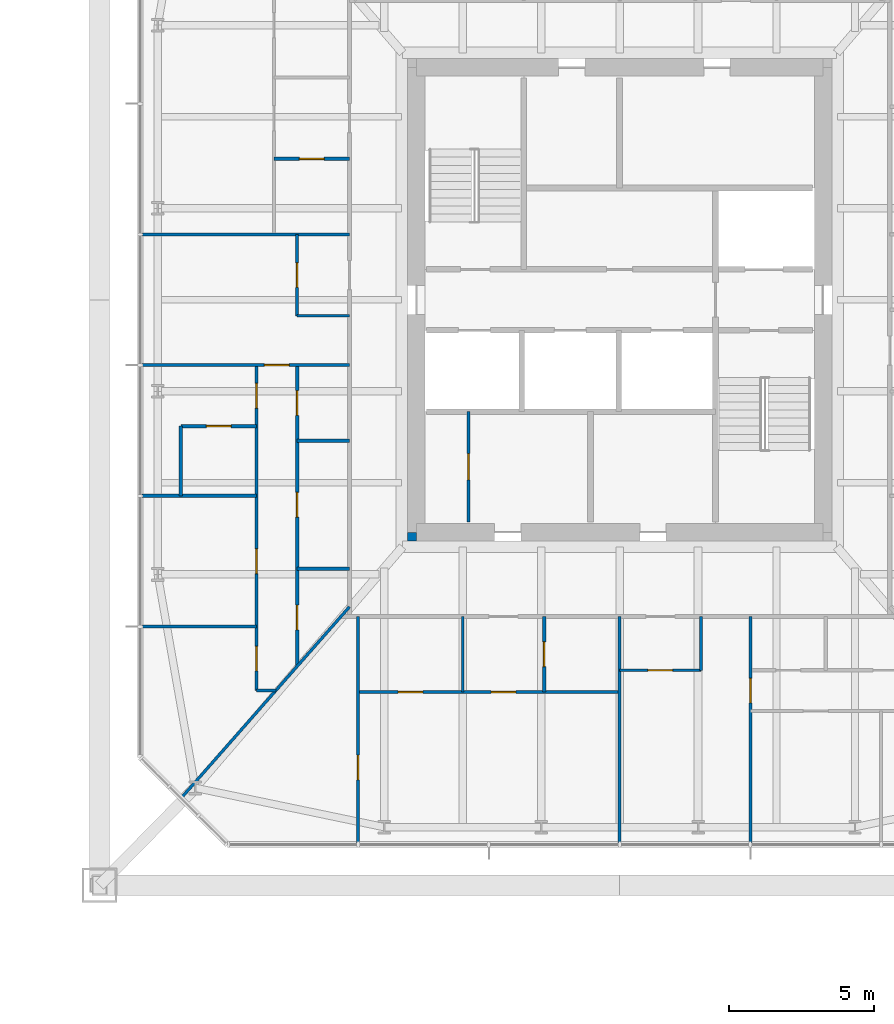
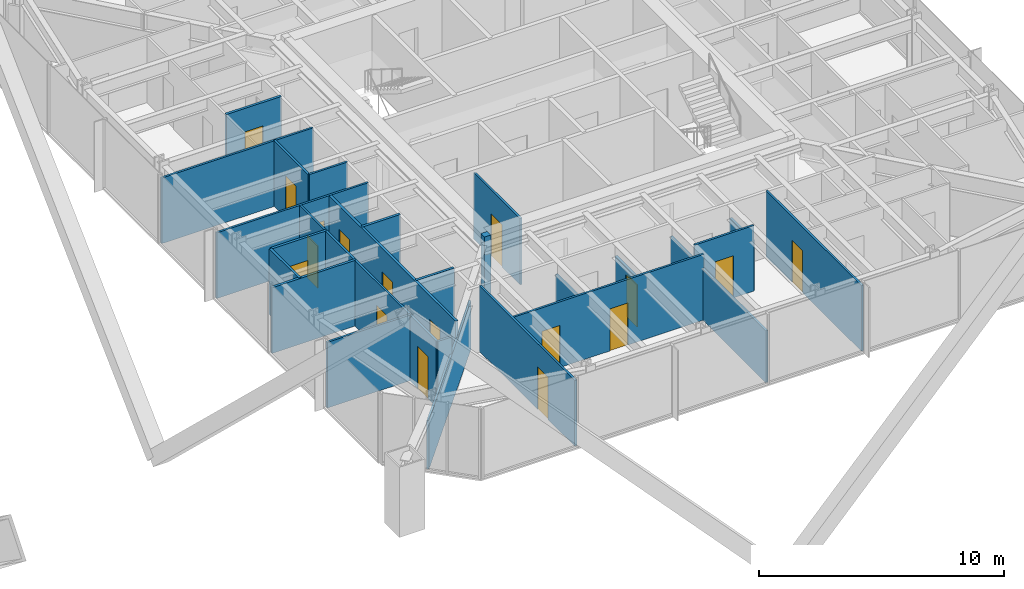
# One storey, part 20 of 28: 25 walls, 17 doors, 17 openings.
"""IFC4 building model written with IfcOpenShell, lengths in metres."""

from ifc_helpers import new_model, si_unit, direction, frame, frame_2d, origin, place, context, subcontext, project, spatial, rectangle, extrude, material, layer, layer_set, type_object, element, fill, save


model = new_model("IFC4")

# Units and contexts
model_context = context("Model", 3, precision=1e-05, world=origin(), true_north=direction((0.0, 1.0)))
body_context = subcontext(model_context, "Body", "Model", "MODEL_VIEW")
ifc_project = project(units=[si_unit("LENGTHUNIT", "METRE"), si_unit("AREAUNIT", "SQUARE_METRE"), si_unit("VOLUMEUNIT", "CUBIC_METRE"), si_unit("PLANEANGLEUNIT", "RADIAN"), si_unit("MASSUNIT", "GRAM", prefix="KILO")], contexts=[model_context])

# Site, building, storey
site_placement = place(None, origin())
site = spatial("IfcSite", under=ifc_project, at=site_placement, CompositionType="ELEMENT")
building_placement = place(site_placement, origin())
building = spatial("IfcBuilding", under=site, at=building_placement, Name="Iwan Alto Co-Living Towers", CompositionType="ELEMENT")
storey_placement = place(building_placement, frame((0.0, 0.0, 64.0)))
storey = spatial("IfcBuildingStorey", under=building, at=storey_placement, Name="L17", CompositionType="ELEMENT", Elevation=64.0)

# Wall, openings, doors
ifc_material_1 = material(Name="Gypsum board")
ifc_layer_1 = layer(ifc_material_1, 0.012451171875, Name="Board", Category="Finish")
ifc_material_2 = material(Name="Steel ASTM A1003 ST33H cold-formed studs", Category="steel")
ifc_layer_2 = layer(ifc_material_2, 0.074951171875, Name="Studs", Category="Framing")
ifc_layer_3 = layer(ifc_material_1, 0.012451171875, Name="Board", Category="Finish")
ifc_layer_set_1 = layer_set([ifc_layer_1, ifc_layer_2, ifc_layer_3], Name="PARTITION 100")
wall_type_1 = type_object("IfcWallType", Name="PARTITION 100", PredefinedType="PARTITIONING", material=ifc_layer_set_1)
wall_1_placement = place(storey_placement, frame((54.0, -13.5, 0.0), z_axis=(0.0, 0.0, 1.0), x_axis=(1.0, 0.0, 0.0)))
wall_1 = element("IfcWall", 1, at=wall_1_placement, inside=storey, type_object=wall_type_1, Name="Partition L17", PredefinedType="PARTITIONING", context=body_context, shape_type="SweptSolid", body=[
    extrude(rectangle(XDim=9.0, YDim=0.10009765625, at=frame_2d((4.5, 0.0))), origin(), (0.0, 0.0, 1.0), 3.27001953125),
])
opening_1_placement = place(wall_1_placement, frame((1.375, 0.0, 0.0)))
opening_1 = element("IfcOpeningElement", 2, at=opening_1_placement, cuts=wall_1, Name="Opening D2", PredefinedType="OPENING", context=body_context, shape_type="SweptSolid", body=[
    extrude(rectangle(XDim=0.85009765625, YDim=2.10009765625, at=frame_2d((0.425048828125, 1.050048828125))), frame((0.0, 0.06005859375, 0.0), z_axis=(0.0, -1.0, 0.0), x_axis=(1.0, 0.0, 0.0)), (0.0, 0.0, 1.0), 0.1201171875),
])
opening_2_placement = place(wall_1_placement, frame((4.574951171875, 0.0, 0.0)))
opening_2 = element("IfcOpeningElement", 3, at=opening_2_placement, cuts=wall_1, Name="Opening D2", PredefinedType="OPENING", context=body_context, shape_type="SweptSolid", body=[
    extrude(rectangle(XDim=0.85009765625, YDim=2.10009765625, at=frame_2d((0.425048828125, 1.050048828125))), frame((0.0, 0.06005859375, 0.0), z_axis=(0.0, -1.0, 0.0), x_axis=(1.0, 0.0, 0.0)), (0.0, 0.0, 1.0), 0.1201171875),
])
ifc_material_3 = material(Name="Timber leaf in steel frame", Category="steel")
door_type_1 = type_object("IfcDoorType", Name="ROOM DOOR 850X2100", OperationType="SINGLE_SWING_LEFT", PredefinedType="DOOR", material=ifc_material_3)
door_1_placement = place(opening_1_placement, frame((0.85009765625, 0.0, 0.0), z_axis=(0.0, 0.0, 1.0), x_axis=(-1.0, 0.0, 0.0)))
door_1 = element("IfcDoor", 4, at=door_1_placement, inside=storey, type_object=door_type_1, Name="Kitchen door L17", OperationType="SINGLE_SWING_RIGHT", OverallHeight=2.10009765625, OverallWidth=0.85009765625, PredefinedType="DOOR", context=body_context, shape_type="SweptSolid", body=[
    extrude(rectangle(XDim=0.85009765625, YDim=2.10009765625, at=frame_2d((0.425048828125, 1.050048828125))), frame((0.0, 0.02490234375, 0.0), z_axis=(0.0, -1.0, 0.0), x_axis=(1.0, 0.0, 0.0)), (0.0, 0.0, 1.0), 0.050048828125),
])
fill(opening_1, door_1)
door_2_placement = place(opening_2_placement, frame((0.85009765625, 0.0, 0.0), z_axis=(0.0, 0.0, 1.0), x_axis=(-1.0, 0.0, 0.0)))
door_2 = element("IfcDoor", 5, at=door_2_placement, inside=storey, type_object=door_type_1, Name="Apartment foyer door L17", OperationType="SINGLE_SWING_LEFT", OverallHeight=2.10009765625, OverallWidth=0.85009765625, PredefinedType="DOOR", context=body_context, shape_type="SweptSolid", body=[
    extrude(rectangle(XDim=0.85009765625, YDim=2.10009765625, at=frame_2d((0.425048828125, 1.050048828125))), frame((0.0, 0.02490234375, 0.0), z_axis=(0.0, -1.0, 0.0), x_axis=(1.0, 0.0, 0.0)), (0.0, 0.0, 1.0), 0.050048828125),
])
fill(opening_2, door_2)

# Wall
wall_2_placement = place(storey_placement, frame((50.5, -13.449951171875, 0.0), z_axis=(0.0, 0.0, 1.0), x_axis=(1.0, 0.0, 0.0)))
element("IfcWall", 6, at=wall_2_placement, inside=storey, type_object=wall_type_1, Name="Partition L17", PredefinedType="PARTITIONING", context=body_context, shape_type="SweptSolid", body=[
    extrude(rectangle(XDim=0.6640625, YDim=0.10009765625, at=frame_2d((0.33203125, 0.0))), origin(), (0.0, 0.0, 1.0), 3.27001953125),
])

# Wall, opening, door
wall_3_placement = place(storey_placement, frame((63.0, -12.75, 0.0), z_axis=(0.0, 0.0, 1.0), x_axis=(1.0, 0.0, 0.0)))
wall_3 = element("IfcWall", 7, at=wall_3_placement, inside=storey, type_object=wall_type_1, Name="Partition L17", PredefinedType="PARTITIONING", context=body_context, shape_type="SweptSolid", body=[
    extrude(rectangle(XDim=2.800048828125, YDim=0.10009765625, at=frame_2d((1.39990234375, 0.0))), origin(), (0.0, 0.0, 1.0), 3.27001953125),
])
opening_3_placement = place(wall_3_placement, frame((0.97509765625, 0.0, 0.0)))
opening_3 = element("IfcOpeningElement", 8, at=opening_3_placement, cuts=wall_3, Name="Opening D2", PredefinedType="OPENING", context=body_context, shape_type="SweptSolid", body=[
    extrude(rectangle(XDim=0.85009765625, YDim=2.10009765625, at=frame_2d((0.425048828125, 1.050048828125))), frame((0.0, 0.06005859375, 0.0), z_axis=(0.0, -1.0, 0.0), x_axis=(1.0, 0.0, 0.0)), (0.0, 0.0, 1.0), 0.1201171875),
])
door_3_placement = place(opening_3_placement, frame((0.85009765625, 0.0, 0.0), z_axis=(0.0, 0.0, 1.0), x_axis=(-1.0, 0.0, 0.0)))
door_3 = element("IfcDoor", 9, at=door_3_placement, inside=storey, type_object=door_type_1, Name="Apartment foyer door L17", OperationType="SINGLE_SWING_RIGHT", OverallHeight=2.10009765625, OverallWidth=0.85009765625, PredefinedType="DOOR", context=body_context, shape_type="SweptSolid", body=[
    extrude(rectangle(XDim=0.85009765625, YDim=2.10009765625, at=frame_2d((0.425048828125, 1.050048828125))), frame((0.0, 0.02490234375, 0.0), z_axis=(0.0, -1.0, 0.0), x_axis=(1.0, 0.0, 0.0)), (0.0, 0.0, 1.0), 0.050048828125),
])
fill(opening_3, door_3)

# Wall
wall_4_placement = place(storey_placement, frame((46.56005859375, -11.25, 0.0), z_axis=(0.0, 0.0, 1.0), x_axis=(1.0, 0.0, 0.0)))
element("IfcWall", 10, at=wall_4_placement, inside=storey, type_object=wall_type_1, Name="Partition L17", PredefinedType="PARTITIONING", context=body_context, shape_type="SweptSolid", body=[
    extrude(rectangle(XDim=3.93994140625, YDim=0.10009765625, at=frame_2d((1.969970703125, 0.0))), origin(), (0.0, 0.0, 1.0), 3.27001953125),
])

# Wall, opening, door
wall_5_placement = place(storey_placement, frame((46.56005859375, -2.25, 0.0), z_axis=(0.0, 0.0, 1.0), x_axis=(1.0, 0.0, 0.0)))
wall_5 = element("IfcWall", 11, at=wall_5_placement, inside=storey, type_object=wall_type_1, Name="Partition L17", PredefinedType="PARTITIONING", context=body_context, shape_type="SweptSolid", body=[
    extrude(rectangle(XDim=7.139892578125, YDim=0.10009765625, at=frame_2d((3.56982421875, 0.0))), origin(), (0.0, 0.0, 1.0), 3.27001953125),
])
opening_4_placement = place(wall_5_placement, frame((4.215087890625, 0.0, 0.0)))
opening_4 = element("IfcOpeningElement", 12, at=opening_4_placement, cuts=wall_5, Name="Opening D2", PredefinedType="OPENING", context=body_context, shape_type="SweptSolid", body=[
    extrude(rectangle(XDim=0.85009765625, YDim=2.10009765625, at=frame_2d((0.425048828125, 1.050048828125))), frame((0.0, 0.06005859375, 0.0), z_axis=(0.0, -1.0, 0.0), x_axis=(1.0, 0.0, 0.0)), (0.0, 0.0, 1.0), 0.1201171875),
])
door_4_placement = place(opening_4_placement, origin())
door_4 = element("IfcDoor", 13, at=door_4_placement, inside=storey, type_object=door_type_1, Name="Apartment hall door L17", OperationType="SINGLE_SWING_RIGHT", OverallHeight=2.10009765625, OverallWidth=0.85009765625, PredefinedType="DOOR", context=body_context, shape_type="SweptSolid", body=[
    extrude(rectangle(XDim=0.85009765625, YDim=2.10009765625, at=frame_2d((0.425048828125, 1.050048828125))), frame((0.0, 0.02490234375, 0.0), z_axis=(0.0, -1.0, 0.0), x_axis=(1.0, 0.0, 0.0)), (0.0, 0.0, 1.0), 0.050048828125),
])
fill(opening_4, door_4)

# Walls
wall_6_placement = place(storey_placement, frame((51.89990234375, -0.550048828125, 0.0), z_axis=(0.0, 0.0, 1.0), x_axis=(1.0, 0.0, 0.0)))
element("IfcWall", 14, at=wall_6_placement, inside=storey, type_object=wall_type_1, Name="Partition L17", PredefinedType="PARTITIONING", context=body_context, shape_type="SweptSolid", body=[
    extrude(rectangle(XDim=1.800048828125, YDim=0.10009765625, at=frame_2d((0.89990234375, 0.0))), origin(), (0.0, 0.0, 1.0), 3.27001953125),
])
wall_7_placement = place(storey_placement, frame((46.56005859375, 2.25, 0.0), z_axis=(0.0, 0.0, 1.0), x_axis=(1.0, 0.0, 0.0)))
element("IfcWall", 15, at=wall_7_placement, inside=storey, type_object=wall_type_1, Name="Partition L17", PredefinedType="PARTITIONING", context=body_context, shape_type="SweptSolid", body=[
    extrude(rectangle(XDim=7.139892578125, YDim=0.10009765625, at=frame_2d((3.56982421875, 0.0))), origin(), (0.0, 0.0, 1.0), 3.27001953125),
])
wall_8_placement = place(storey_placement, frame((47.944091796875, -17.10888671875, 0.0), z_axis=(0.0, 0.0, 1.0), x_axis=(0.660612734851, 0.750726857487, 0.0)))
element("IfcWall", 16, at=wall_8_placement, inside=storey, type_object=wall_type_1, Name="Partition L17", PredefinedType="PARTITIONING", context=body_context, shape_type="SweptSolid", body=[
    extrude(rectangle(XDim=8.712890625, YDim=0.10009765625, at=frame_2d((4.3564453125, 0.0))), origin(), (0.0, 0.0, 1.0), 2.42919921875),
])

# Wall, opening, door
wall_9_placement = place(storey_placement, frame((67.5, -18.68994140625, 0.0), z_axis=(0.0, 0.0, 1.0), x_axis=(0.0, 1.0, 0.0)))
wall_9 = element("IfcWall", 17, at=wall_9_placement, inside=storey, type_object=wall_type_1, Name="Partition L17", PredefinedType="PARTITIONING", context=body_context, shape_type="SweptSolid", body=[
    extrude(rectangle(XDim=7.7900390625, YDim=0.10009765625, at=frame_2d((3.89501953125, 0.0))), origin(), (0.0, 0.0, 1.0), 3.27001953125),
])
opening_5_placement = place(wall_9_placement, frame((4.81494140625, 0.0, 0.0)))
opening_5 = element("IfcOpeningElement", 18, at=opening_5_placement, cuts=wall_9, Name="Opening D2", PredefinedType="OPENING", context=body_context, shape_type="SweptSolid", body=[
    extrude(rectangle(XDim=0.85009765625, YDim=2.10009765625, at=frame_2d((0.425048828125, 1.050048828125))), frame((0.0, 0.06005859375, 0.0), z_axis=(0.0, -1.0, 0.0), x_axis=(1.0, 0.0, 0.0)), (0.0, 0.0, 1.0), 0.1201171875),
])
door_5_placement = place(opening_5_placement, origin())
door_5 = element("IfcDoor", 19, at=door_5_placement, inside=storey, type_object=door_type_1, Name="Apartment hall door L17", OperationType="SINGLE_SWING_RIGHT", OverallHeight=2.10009765625, OverallWidth=0.85009765625, PredefinedType="DOOR", context=body_context, shape_type="SweptSolid", body=[
    extrude(rectangle(XDim=0.85009765625, YDim=2.10009765625, at=frame_2d((0.425048828125, 1.050048828125))), frame((0.0, 0.02490234375, 0.0), z_axis=(0.0, -1.0, 0.0), x_axis=(1.0, 0.0, 0.0)), (0.0, 0.0, 1.0), 0.050048828125),
])
fill(opening_5, door_5)

# Walls
wall_10_placement = place(storey_placement, frame((65.800048828125, -12.75, 0.0), z_axis=(0.0, 0.0, 1.0), x_axis=(0.0, 1.0, 0.0)))
element("IfcWall", 20, at=wall_10_placement, inside=storey, type_object=wall_type_1, Name="Partition L17", PredefinedType="PARTITIONING", context=body_context, shape_type="SweptSolid", body=[
    extrude(rectangle(XDim=1.85009765625, YDim=0.10009765625, at=frame_2d((0.925048828125, 0.0))), origin(), (0.0, 0.0, 1.0), 2.508056640625),
])
wall_11_placement = place(storey_placement, frame((63.0, -18.68994140625, 0.0), z_axis=(0.0, 0.0, 1.0), x_axis=(0.0, 1.0, 0.0)))
element("IfcWall", 21, at=wall_11_placement, inside=storey, type_object=wall_type_1, Name="Partition L17", PredefinedType="PARTITIONING", context=body_context, shape_type="SweptSolid", body=[
    extrude(rectangle(XDim=7.7900390625, YDim=0.10009765625, at=frame_2d((3.89501953125, 0.0))), origin(), (0.0, 0.0, 1.0), 2.586669921875),
])

# Wall, opening, door
wall_12_placement = place(storey_placement, frame((57.800048828125, -7.639892578125, 0.0), z_axis=(0.0, 0.0, 1.0), x_axis=(0.0, 1.0, 0.0)))
wall_12 = element("IfcWall", 22, at=wall_12_placement, inside=storey, type_object=wall_type_1, Name="Partition L17", PredefinedType="PARTITIONING", context=body_context, shape_type="SweptSolid", body=[
    extrude(rectangle(XDim=3.789794921875, YDim=0.10009765625, at=frame_2d((1.89501953125, 0.0))), origin(), (0.0, 0.0, 1.0), 3.300048828125),
])
opening_6_placement = place(wall_12_placement, frame((1.445068359375, 0.0, 0.0)))
opening_6 = element("IfcOpeningElement", 23, at=opening_6_placement, cuts=wall_12, Name="Opening D16", PredefinedType="OPENING", context=body_context, shape_type="SweptSolid", body=[
    extrude(rectangle(XDim=0.89990234375, YDim=2.10009765625, at=frame_2d((0.449951171875, 1.050048828125))), frame((0.0, 0.06005859375, 0.0), z_axis=(0.0, -1.0, 0.0), x_axis=(1.0, 0.0, 0.0)), (0.0, 0.0, 1.0), 0.1201171875),
])
ifc_material_4 = material(Name="Timber leaf in steel frame", Category="steel")
door_type_2 = type_object("IfcDoorType", Name="CUPBOARD SLIDING DOOR 900X2100", OperationType="SLIDING_TO_LEFT", PredefinedType="DOOR", material=ifc_material_4)
door_6_placement = place(opening_6_placement, origin())
door_6 = element("IfcDoor", 24, at=door_6_placement, inside=storey, type_object=door_type_2, Name="Bin store door L17", OperationType="SLIDING_TO_LEFT", OverallHeight=2.10009765625, OverallWidth=0.89990234375, PredefinedType="DOOR", context=body_context, shape_type="SweptSolid", body=[
    extrude(rectangle(XDim=0.89990234375, YDim=2.10009765625, at=frame_2d((0.449951171875, 1.050048828125))), frame((0.0, 0.02490234375, 0.0), z_axis=(0.0, -1.0, 0.0), x_axis=(1.0, 0.0, 0.0)), (0.0, 0.0, 1.0), 0.050048828125),
])
fill(opening_6, door_6)

# Wall
wall_13_placement = place(storey_placement, frame((57.60009765625, -13.5, 0.0), z_axis=(0.0, 0.0, 1.0), x_axis=(0.0, 1.0, 0.0)))
element("IfcWall", 25, at=wall_13_placement, inside=storey, type_object=wall_type_1, Name="Partition L17", PredefinedType="PARTITIONING", context=body_context, shape_type="SweptSolid", body=[
    extrude(rectangle(XDim=2.60009765625, YDim=0.10009765625, at=frame_2d((1.300048828125, 0.0))), origin(), (0.0, 0.0, 1.0), 2.586669921875),
])

# Wall, opening, door
wall_14_placement = place(storey_placement, frame((54.0, -18.68994140625, 0.0), z_axis=(0.0, 0.0, 1.0), x_axis=(0.0, 1.0, 0.0)))
wall_14 = element("IfcWall", 26, at=wall_14_placement, inside=storey, type_object=wall_type_1, Name="Partition L17", PredefinedType="PARTITIONING", context=body_context, shape_type="SweptSolid", body=[
    extrude(rectangle(XDim=7.7900390625, YDim=0.10009765625, at=frame_2d((3.89501953125, 0.0))), origin(), (0.0, 0.0, 1.0), 3.27001953125),
])
opening_7_placement = place(wall_14_placement, frame((2.169921875, 0.0, 0.0)))
opening_7 = element("IfcOpeningElement", 27, at=opening_7_placement, cuts=wall_14, Name="Opening D2", PredefinedType="OPENING", context=body_context, shape_type="SweptSolid", body=[
    extrude(rectangle(XDim=0.85009765625, YDim=2.10009765625, at=frame_2d((0.425048828125, 1.050048828125))), frame((0.0, 0.06005859375, 0.0), z_axis=(0.0, -1.0, 0.0), x_axis=(1.0, 0.0, 0.0)), (0.0, 0.0, 1.0), 0.1201171875),
])
door_7_placement = place(opening_7_placement, frame((0.85009765625, 0.0, 0.0), z_axis=(0.0, 0.0, 1.0), x_axis=(-1.0, 0.0, 0.0)))
door_7 = element("IfcDoor", 28, at=door_7_placement, inside=storey, type_object=door_type_1, Name="Bedroom door L17", OperationType="SINGLE_SWING_LEFT", OverallHeight=2.10009765625, OverallWidth=0.85009765625, PredefinedType="DOOR", context=body_context, shape_type="SweptSolid", body=[
    extrude(rectangle(XDim=0.85009765625, YDim=2.10009765625, at=frame_2d((0.425048828125, 1.050048828125))), frame((0.0, 0.02490234375, 0.0), z_axis=(0.0, -1.0, 0.0), x_axis=(1.0, 0.0, 0.0)), (0.0, 0.0, 1.0), 0.050048828125),
])
fill(opening_7, door_7)

wall_15_placement = place(storey_placement, frame((51.89990234375, -0.550048828125, 0.0), z_axis=(0.0, 0.0, 1.0), x_axis=(0.0, 1.0, 0.0)))
wall_15 = element("IfcWall", 29, at=wall_15_placement, inside=storey, type_object=wall_type_1, Name="Partition L17", PredefinedType="PARTITIONING", context=body_context, shape_type="SweptSolid", body=[
    extrude(rectangle(XDim=2.800048828125, YDim=0.10009765625, at=frame_2d((1.39990234375, 0.0))), origin(), (0.0, 0.0, 1.0), 3.27001953125),
])
opening_8_placement = place(wall_15_placement, frame((0.97509765625, 0.0, 0.0)))
opening_8 = element("IfcOpeningElement", 30, at=opening_8_placement, cuts=wall_15, Name="Opening D2", PredefinedType="OPENING", context=body_context, shape_type="SweptSolid", body=[
    extrude(rectangle(XDim=0.85009765625, YDim=2.10009765625, at=frame_2d((0.425048828125, 1.050048828125))), frame((0.0, 0.06005859375, 0.0), z_axis=(0.0, -1.0, 0.0), x_axis=(1.0, 0.0, 0.0)), (0.0, 0.0, 1.0), 0.1201171875),
])
door_8_placement = place(opening_8_placement, origin())
door_8 = element("IfcDoor", 31, at=door_8_placement, inside=storey, type_object=door_type_1, Name="Apartment foyer door L17", OperationType="SINGLE_SWING_RIGHT", OverallHeight=2.10009765625, OverallWidth=0.85009765625, PredefinedType="DOOR", context=body_context, shape_type="SweptSolid", body=[
    extrude(rectangle(XDim=0.85009765625, YDim=2.10009765625, at=frame_2d((0.425048828125, 1.050048828125))), frame((0.0, 0.02490234375, 0.0), z_axis=(0.0, -1.0, 0.0), x_axis=(1.0, 0.0, 0.0)), (0.0, 0.0, 1.0), 0.050048828125),
])
fill(opening_8, door_8)

# Wall, openings, doors
wall_16_placement = place(storey_placement, frame((50.5, -13.449951171875, 0.0), z_axis=(0.0, 0.0, 1.0), x_axis=(0.0, 1.0, 0.0)))
wall_16 = element("IfcWall", 32, at=wall_16_placement, inside=storey, type_object=wall_type_1, Name="Partition L17", PredefinedType="PARTITIONING", context=body_context, shape_type="SweptSolid", body=[
    extrude(rectangle(XDim=11.199951171875, YDim=0.10009765625, at=frame_2d((5.60009765625, 0.0))), origin(), (0.0, 0.0, 1.0), 3.27001953125),
])
opening_9_placement = place(wall_16_placement, frame((9.72509765625, 0.0, 0.0)))
opening_9 = element("IfcOpeningElement", 33, at=opening_9_placement, cuts=wall_16, Name="Opening D2", PredefinedType="OPENING", context=body_context, shape_type="SweptSolid", body=[
    extrude(rectangle(XDim=0.85009765625, YDim=2.10009765625, at=frame_2d((0.425048828125, 1.050048828125))), frame((0.0, 0.06005859375, 0.0), z_axis=(0.0, -1.0, 0.0), x_axis=(1.0, 0.0, 0.0)), (0.0, 0.0, 1.0), 0.1201171875),
])
opening_10_placement = place(wall_16_placement, frame((4.02490234375, 0.0, 0.0)))
opening_10 = element("IfcOpeningElement", 34, at=opening_10_placement, cuts=wall_16, Name="Opening D2", PredefinedType="OPENING", context=body_context, shape_type="SweptSolid", body=[
    extrude(rectangle(XDim=0.85009765625, YDim=2.10009765625, at=frame_2d((0.425048828125, 1.050048828125))), frame((0.0, 0.06005859375, 0.0), z_axis=(0.0, -1.0, 0.0), x_axis=(1.0, 0.0, 0.0)), (0.0, 0.0, 1.0), 0.1201171875),
])
opening_11_placement = place(wall_16_placement, frame((0.675048828125, 0.0, 0.0)))
opening_11 = element("IfcOpeningElement", 35, at=opening_11_placement, cuts=wall_16, Name="Opening D2", PredefinedType="OPENING", context=body_context, shape_type="SweptSolid", body=[
    extrude(rectangle(XDim=0.85009765625, YDim=2.10009765625, at=frame_2d((0.425048828125, 1.050048828125))), frame((0.0, 0.06005859375, 0.0), z_axis=(0.0, -1.0, 0.0), x_axis=(1.0, 0.0, 0.0)), (0.0, 0.0, 1.0), 0.1201171875),
])
door_9_placement = place(opening_9_placement, origin())
door_9 = element("IfcDoor", 36, at=door_9_placement, inside=storey, type_object=door_type_1, Name="Bedroom door L17", OperationType="SINGLE_SWING_LEFT", OverallHeight=2.10009765625, OverallWidth=0.85009765625, PredefinedType="DOOR", context=body_context, shape_type="SweptSolid", body=[
    extrude(rectangle(XDim=0.85009765625, YDim=2.10009765625, at=frame_2d((0.425048828125, 1.050048828125))), frame((0.0, 0.02490234375, 0.0), z_axis=(0.0, -1.0, 0.0), x_axis=(1.0, 0.0, 0.0)), (0.0, 0.0, 1.0), 0.050048828125),
])
fill(opening_9, door_9)
door_10_placement = place(opening_10_placement, origin())
door_10 = element("IfcDoor", 37, at=door_10_placement, inside=storey, type_object=door_type_1, Name="Bedroom door L17", OperationType="SINGLE_SWING_LEFT", OverallHeight=2.10009765625, OverallWidth=0.85009765625, PredefinedType="DOOR", context=body_context, shape_type="SweptSolid", body=[
    extrude(rectangle(XDim=0.85009765625, YDim=2.10009765625, at=frame_2d((0.425048828125, 1.050048828125))), frame((0.0, 0.02490234375, 0.0), z_axis=(0.0, -1.0, 0.0), x_axis=(1.0, 0.0, 0.0)), (0.0, 0.0, 1.0), 0.050048828125),
])
fill(opening_10, door_10)
door_11_placement = place(opening_11_placement, origin())
door_11 = element("IfcDoor", 38, at=door_11_placement, inside=storey, type_object=door_type_1, Name="Bedroom door L17", OperationType="SINGLE_SWING_RIGHT", OverallHeight=2.10009765625, OverallWidth=0.85009765625, PredefinedType="DOOR", context=body_context, shape_type="SweptSolid", body=[
    extrude(rectangle(XDim=0.85009765625, YDim=2.10009765625, at=frame_2d((0.425048828125, 1.050048828125))), frame((0.0, 0.02490234375, 0.0), z_axis=(0.0, -1.0, 0.0), x_axis=(1.0, 0.0, 0.0)), (0.0, 0.0, 1.0), 0.050048828125),
])
fill(opening_11, door_11)

# Walls
ifc_material_5 = material(Name="Concrete f'c 70 MPa", Category="concrete")
ifc_layer_4 = layer(ifc_material_5, 0.300048828125)
ifc_layer_set_2 = layer_set([ifc_layer_4], Name="T2 CORE CORNER FILL 300")
wall_type_2 = type_object("IfcWallType", Name="T2 CORE CORNER FILL 300", PredefinedType="SOLIDWALL", material=ifc_layer_set_2)
wall_17_placement = place(storey_placement, frame((55.699951171875, -8.14990234375, 0.0), z_axis=(0.0, 0.0, 1.0), x_axis=(1.0, 0.0, 0.0)))
element("IfcWall", 39, at=wall_17_placement, inside=storey, type_object=wall_type_2, Name="T2 core corner SW L17", PredefinedType="SOLIDWALL", context=body_context, shape_type="SweptSolid", body=[
    extrude(rectangle(XDim=0.300048828125, YDim=0.300048828125, at=frame_2d((0.14990234375, 0.0))), origin(), (0.0, 0.0, 1.0), 3.5),
])
ifc_material_6 = material(Name="Cement board")
ifc_layer_5 = layer(ifc_material_6, 0.012451171875, Name="Board", Category="Finish")
ifc_layer_6 = layer(ifc_material_2, 0.094970703125, Name="Studs", Category="Framing")
ifc_layer_7 = layer(ifc_material_6, 0.012451171875, Name="Board", Category="Finish")
ifc_layer_set_3 = layer_set([ifc_layer_5, ifc_layer_6, ifc_layer_7], Name="WET AREA PARTITION 120")
wall_type_3 = type_object("IfcWallType", Name="WET AREA PARTITION 120", PredefinedType="PARTITIONING", material=ifc_layer_set_3)
wall_18_placement = place(storey_placement, frame((51.89990234375, -9.25, 0.0), z_axis=(0.0, 0.0, 1.0), x_axis=(1.0, 0.0, 0.0)))
element("IfcWall", 40, at=wall_18_placement, inside=storey, type_object=wall_type_3, Name="Partition L17", PredefinedType="PARTITIONING", context=body_context, shape_type="SweptSolid", body=[
    extrude(rectangle(XDim=1.800048828125, YDim=0.1201171875, at=frame_2d((0.89990234375, 0.0))), origin(), (0.0, 0.0, 1.0), 3.27001953125),
])
wall_19_placement = place(storey_placement, frame((46.56005859375, -6.75, 0.0), z_axis=(0.0, 0.0, 1.0), x_axis=(1.0, 0.0, 0.0)))
element("IfcWall", 41, at=wall_19_placement, inside=storey, type_object=wall_type_3, Name="Partition L17", PredefinedType="PARTITIONING", context=body_context, shape_type="SweptSolid", body=[
    extrude(rectangle(XDim=3.93994140625, YDim=0.1201171875, at=frame_2d((1.969970703125, 0.0))), origin(), (0.0, 0.0, 1.0), 3.27001953125),
])
wall_20_placement = place(storey_placement, frame((51.89990234375, -4.85009765625, 0.0), z_axis=(0.0, 0.0, 1.0), x_axis=(1.0, 0.0, 0.0)))
element("IfcWall", 42, at=wall_20_placement, inside=storey, type_object=wall_type_3, Name="Partition L17", PredefinedType="PARTITIONING", context=body_context, shape_type="SweptSolid", body=[
    extrude(rectangle(XDim=1.800048828125, YDim=0.1201171875, at=frame_2d((0.89990234375, 0.0))), origin(), (0.0, 0.0, 1.0), 3.27001953125),
])

# Wall, opening, door
wall_21_placement = place(storey_placement, frame((47.89990234375, -4.35009765625, 0.0), z_axis=(0.0, 0.0, 1.0), x_axis=(1.0, 0.0, 0.0)))
wall_21 = element("IfcWall", 43, at=wall_21_placement, inside=storey, type_object=wall_type_3, Name="Partition L17", PredefinedType="PARTITIONING", context=body_context, shape_type="SweptSolid", body=[
    extrude(rectangle(XDim=2.60009765625, YDim=0.1201171875, at=frame_2d((1.300048828125, 0.0))), origin(), (0.0, 0.0, 1.0), 3.27001953125),
])
opening_12_placement = place(wall_21_placement, frame((0.875, 0.0, 0.0)))
opening_12 = element("IfcOpeningElement", 44, at=opening_12_placement, cuts=wall_21, Name="Opening D2", PredefinedType="OPENING", context=body_context, shape_type="SweptSolid", body=[
    extrude(rectangle(XDim=0.85009765625, YDim=2.10009765625, at=frame_2d((0.425048828125, 1.050048828125))), frame((0.0, 0.070068359375, 0.0), z_axis=(0.0, -1.0, 0.0), x_axis=(1.0, 0.0, 0.0)), (0.0, 0.0, 1.0), 0.14013671875),
])
door_12_placement = place(opening_12_placement, origin())
door_12 = element("IfcDoor", 45, at=door_12_placement, inside=storey, type_object=door_type_1, Name="En-suite shower room door L17", OperationType="SINGLE_SWING_RIGHT", OverallHeight=2.10009765625, OverallWidth=0.85009765625, PredefinedType="DOOR", context=body_context, shape_type="SweptSolid", body=[
    extrude(rectangle(XDim=0.85009765625, YDim=2.10009765625, at=frame_2d((0.425048828125, 1.050048828125))), frame((0.0, 0.02490234375, 0.0), z_axis=(0.0, -1.0, 0.0), x_axis=(1.0, 0.0, 0.0)), (0.0, 0.0, 1.0), 0.050048828125),
])
fill(opening_12, door_12)

wall_22_placement = place(storey_placement, frame((51.10009765625, 4.85009765625, 0.0), z_axis=(0.0, 0.0, 1.0), x_axis=(1.0, 0.0, 0.0)))
wall_22 = element("IfcWall", 46, at=wall_22_placement, inside=storey, type_object=wall_type_3, Name="Partition L17", PredefinedType="PARTITIONING", context=body_context, shape_type="SweptSolid", body=[
    extrude(rectangle(XDim=2.599853515625, YDim=0.1201171875, at=frame_2d((1.2998046875, 0.0))), origin(), (0.0, 0.0, 1.0), 3.27001953125),
])
opening_13_placement = place(wall_22_placement, frame((0.875, 0.0, 0.0)))
opening_13 = element("IfcOpeningElement", 47, at=opening_13_placement, cuts=wall_22, Name="Opening D2", PredefinedType="OPENING", context=body_context, shape_type="SweptSolid", body=[
    extrude(rectangle(XDim=0.85009765625, YDim=2.10009765625, at=frame_2d((0.425048828125, 1.050048828125))), frame((0.0, 0.070068359375, 0.0), z_axis=(0.0, -1.0, 0.0), x_axis=(1.0, 0.0, 0.0)), (0.0, 0.0, 1.0), 0.14013671875),
])
door_13_placement = place(opening_13_placement, frame((0.85009765625, 0.0, 0.0), z_axis=(0.0, 0.0, 1.0), x_axis=(-1.0, 0.0, 0.0)))
door_13 = element("IfcDoor", 48, at=door_13_placement, inside=storey, type_object=door_type_1, Name="Bathroom door L17", OperationType="SINGLE_SWING_RIGHT", OverallHeight=2.10009765625, OverallWidth=0.85009765625, PredefinedType="DOOR", context=body_context, shape_type="SweptSolid", body=[
    extrude(rectangle(XDim=0.85009765625, YDim=2.10009765625, at=frame_2d((0.425048828125, 1.050048828125))), frame((0.0, 0.02490234375, 0.0), z_axis=(0.0, -1.0, 0.0), x_axis=(1.0, 0.0, 0.0)), (0.0, 0.0, 1.0), 0.050048828125),
])
fill(opening_13, door_13)

wall_23_placement = place(storey_placement, frame((60.39990234375, -13.5, 0.0), z_axis=(0.0, 0.0, 1.0), x_axis=(0.0, 1.0, 0.0)))
wall_23 = element("IfcWall", 49, at=wall_23_placement, inside=storey, type_object=wall_type_3, Name="Partition L17", PredefinedType="PARTITIONING", context=body_context, shape_type="SweptSolid", body=[
    extrude(rectangle(XDim=2.60009765625, YDim=0.1201171875, at=frame_2d((1.300048828125, 0.0))), origin(), (0.0, 0.0, 1.0), 2.508056640625),
])
opening_14_placement = place(wall_23_placement, frame((0.875, 0.0, 0.0)))
opening_14 = element("IfcOpeningElement", 50, at=opening_14_placement, cuts=wall_23, Name="Opening D2", PredefinedType="OPENING", context=body_context, shape_type="SweptSolid", body=[
    extrude(rectangle(XDim=0.85009765625, YDim=2.10009765625, at=frame_2d((0.425048828125, 1.050048828125))), frame((0.0, 0.070068359375, 0.0), z_axis=(0.0, -1.0, 0.0), x_axis=(1.0, 0.0, 0.0)), (0.0, 0.0, 1.0), 0.14013671875),
])
door_14_placement = place(opening_14_placement, frame((0.85009765625, 0.0, 0.0), z_axis=(0.0, 0.0, 1.0), x_axis=(-1.0, 0.0, 0.0)))
door_14 = element("IfcDoor", 51, at=door_14_placement, inside=storey, type_object=door_type_1, Name="Bathroom door L17", OperationType="SINGLE_SWING_RIGHT", OverallHeight=2.10009765625, OverallWidth=0.85009765625, PredefinedType="DOOR", context=body_context, shape_type="SweptSolid", body=[
    extrude(rectangle(XDim=0.85009765625, YDim=2.10009765625, at=frame_2d((0.425048828125, 1.050048828125))), frame((0.0, 0.02490234375, 0.0), z_axis=(0.0, -1.0, 0.0), x_axis=(1.0, 0.0, 0.0)), (0.0, 0.0, 1.0), 0.050048828125),
])
fill(opening_14, door_14)

# Wall, openings, doors
wall_24_placement = place(storey_placement, frame((51.89990234375, -12.614013671875, 0.0), z_axis=(0.0, 0.0, 1.0), x_axis=(0.0, 1.0, 0.0)))
wall_24 = element("IfcWall", 52, at=wall_24_placement, inside=storey, type_object=wall_type_3, Name="Partition L17", PredefinedType="PARTITIONING", context=body_context, shape_type="SweptSolid", body=[
    extrude(rectangle(XDim=10.364013671875, YDim=0.1201171875, at=frame_2d((5.18212890625, 0.0))), origin(), (0.0, 0.0, 1.0), 3.27001953125),
])
opening_15_placement = place(wall_24_placement, frame((8.638916015625, 0.0, 0.0)))
opening_15 = element("IfcOpeningElement", 53, at=opening_15_placement, cuts=wall_24, Name="Opening D2", PredefinedType="OPENING", context=body_context, shape_type="SweptSolid", body=[
    extrude(rectangle(XDim=0.85009765625, YDim=2.10009765625, at=frame_2d((0.425048828125, 1.050048828125))), frame((0.0, 0.070068359375, 0.0), z_axis=(0.0, -1.0, 0.0), x_axis=(1.0, 0.0, 0.0)), (0.0, 0.0, 1.0), 0.14013671875),
])
opening_16_placement = place(wall_24_placement, frame((5.138916015625, 0.0, 0.0)))
opening_16 = element("IfcOpeningElement", 54, at=opening_16_placement, cuts=wall_24, Name="Opening D2", PredefinedType="OPENING", context=body_context, shape_type="SweptSolid", body=[
    extrude(rectangle(XDim=0.85009765625, YDim=2.10009765625, at=frame_2d((0.425048828125, 1.050048828125))), frame((0.0, 0.070068359375, 0.0), z_axis=(0.0, -1.0, 0.0), x_axis=(1.0, 0.0, 0.0)), (0.0, 0.0, 1.0), 0.14013671875),
])
opening_17_placement = place(wall_24_placement, frame((1.257080078125, 0.0, 0.0)))
opening_17 = element("IfcOpeningElement", 55, at=opening_17_placement, cuts=wall_24, Name="Opening D2", PredefinedType="OPENING", context=body_context, shape_type="SweptSolid", body=[
    extrude(rectangle(XDim=0.85009765625, YDim=2.10009765625, at=frame_2d((0.425048828125, 1.050048828125))), frame((0.0, 0.070068359375, 0.0), z_axis=(0.0, -1.0, 0.0), x_axis=(1.0, 0.0, 0.0)), (0.0, 0.0, 1.0), 0.14013671875),
])
door_15_placement = place(opening_15_placement, frame((0.85009765625, 0.0, 0.0), z_axis=(0.0, 0.0, 1.0), x_axis=(-1.0, 0.0, 0.0)))
door_15 = element("IfcDoor", 56, at=door_15_placement, inside=storey, type_object=door_type_1, Name="Bathroom door L17", OperationType="SINGLE_SWING_RIGHT", OverallHeight=2.10009765625, OverallWidth=0.85009765625, PredefinedType="DOOR", context=body_context, shape_type="SweptSolid", body=[
    extrude(rectangle(XDim=0.85009765625, YDim=2.10009765625, at=frame_2d((0.425048828125, 1.050048828125))), frame((0.0, 0.02490234375, 0.0), z_axis=(0.0, -1.0, 0.0), x_axis=(1.0, 0.0, 0.0)), (0.0, 0.0, 1.0), 0.050048828125),
])
fill(opening_15, door_15)
door_16_placement = place(opening_16_placement, frame((0.85009765625, 0.0, 0.0), z_axis=(0.0, 0.0, 1.0), x_axis=(-1.0, 0.0, 0.0)))
door_16 = element("IfcDoor", 57, at=door_16_placement, inside=storey, type_object=door_type_1, Name="Utility room door L17", OperationType="SINGLE_SWING_RIGHT", OverallHeight=2.10009765625, OverallWidth=0.85009765625, PredefinedType="DOOR", context=body_context, shape_type="SweptSolid", body=[
    extrude(rectangle(XDim=0.85009765625, YDim=2.10009765625, at=frame_2d((0.425048828125, 1.050048828125))), frame((0.0, 0.02490234375, 0.0), z_axis=(0.0, -1.0, 0.0), x_axis=(1.0, 0.0, 0.0)), (0.0, 0.0, 1.0), 0.050048828125),
])
fill(opening_16, door_16)
door_17_placement = place(opening_17_placement, frame((0.85009765625, 0.0, 0.0), z_axis=(0.0, 0.0, 1.0), x_axis=(-1.0, 0.0, 0.0)))
door_17 = element("IfcDoor", 58, at=door_17_placement, inside=storey, type_object=door_type_1, Name="Store room door L17", OperationType="SINGLE_SWING_RIGHT", OverallHeight=2.10009765625, OverallWidth=0.85009765625, PredefinedType="DOOR", context=body_context, shape_type="SweptSolid", body=[
    extrude(rectangle(XDim=0.85009765625, YDim=2.10009765625, at=frame_2d((0.425048828125, 1.050048828125))), frame((0.0, 0.02490234375, 0.0), z_axis=(0.0, -1.0, 0.0), x_axis=(1.0, 0.0, 0.0)), (0.0, 0.0, 1.0), 0.050048828125),
])
fill(opening_17, door_17)

# Wall
wall_25_placement = place(storey_placement, frame((47.89990234375, -6.75, 0.0), z_axis=(0.0, 0.0, 1.0), x_axis=(0.0, 1.0, 0.0)))
element("IfcWall", 59, at=wall_25_placement, inside=storey, type_object=wall_type_3, Name="Partition L17", PredefinedType="PARTITIONING", context=body_context, shape_type="SweptSolid", body=[
    extrude(rectangle(XDim=2.39990234375, YDim=0.1201171875, at=frame_2d((1.199951171875, 0.0))), origin(), (0.0, 0.0, 1.0), 3.27001953125),
])

save(model, "model.ifc")
